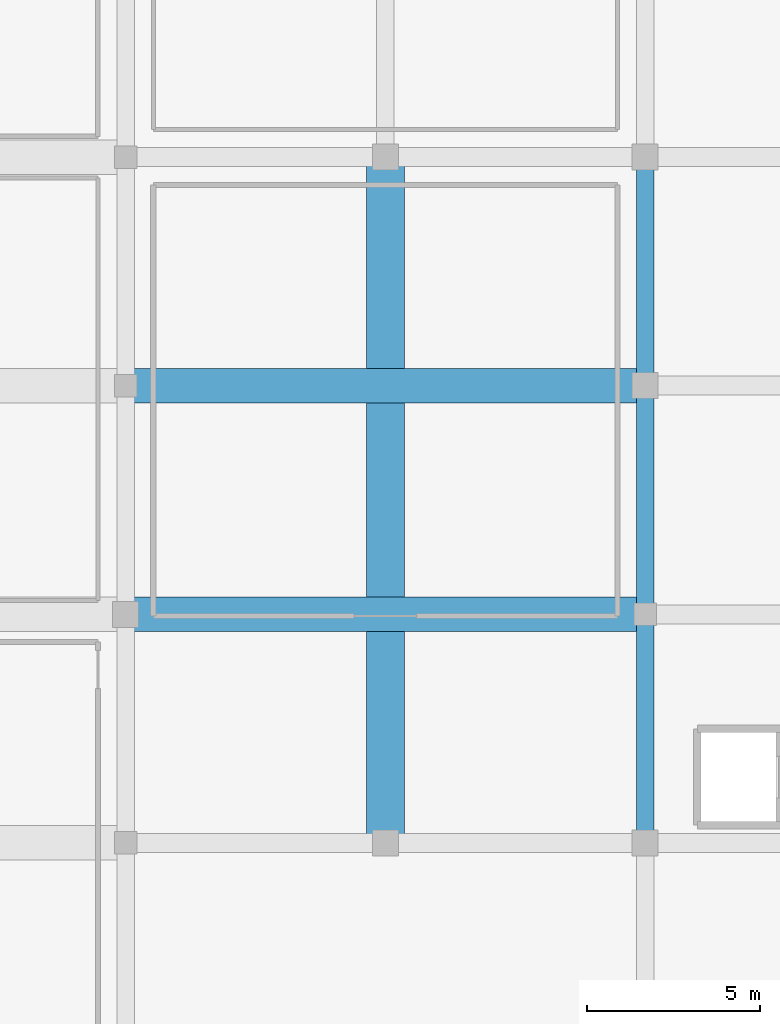
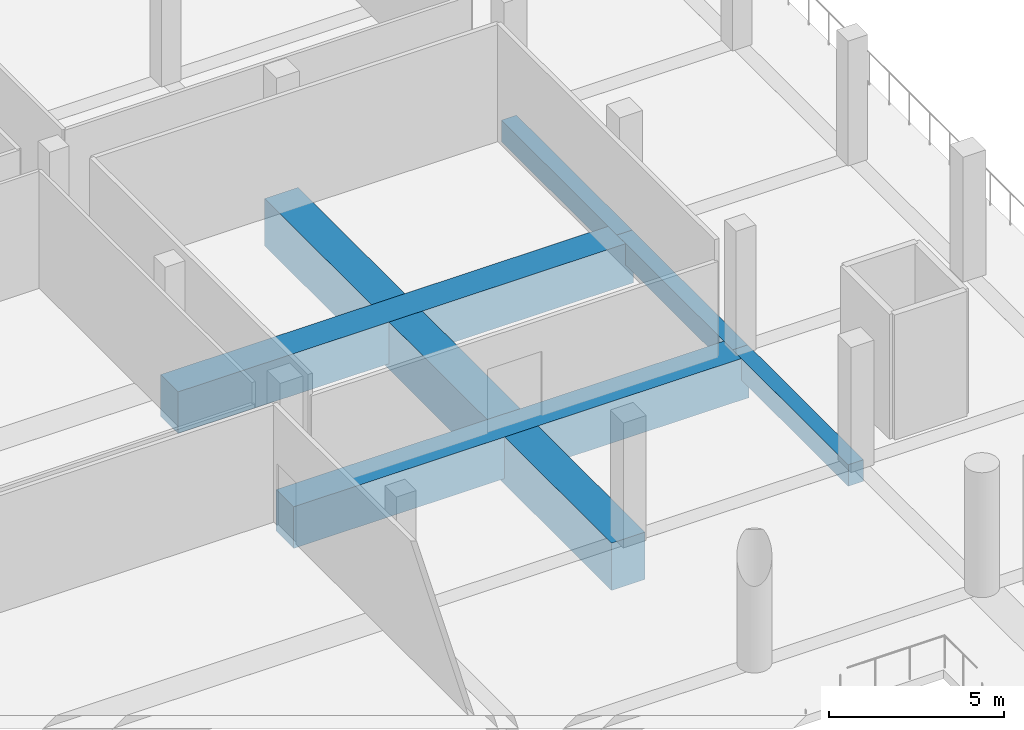
# One storey, part 18 of 64: 6 beams.
"""IFC4 building model written with IfcOpenShell, lengths in metres."""

from ifc_helpers import new_model, si_unit, direction, frame, origin, origin_2d, place, context, subcontext, project, spatial, rectangle, extrude, material, material_profile, profile_set, type_object, element, save


model = new_model("IFC4")

# Units and contexts
model_context = context("Model", 3, precision=1e-05, world=origin(), true_north=direction((0.0, 1.0)))
body_context = subcontext(model_context, "Body", "Model", "MODEL_VIEW")
ifc_project = project(units=[si_unit("LENGTHUNIT", "METRE"), si_unit("AREAUNIT", "SQUARE_METRE"), si_unit("VOLUMEUNIT", "CUBIC_METRE"), si_unit("PLANEANGLEUNIT", "RADIAN"), si_unit("MASSUNIT", "GRAM", prefix="KILO")], contexts=[model_context])

# Site, building, storey
site_placement = place(None, origin())
site = spatial("IfcSite", under=ifc_project, at=site_placement, CompositionType="ELEMENT")
building_placement = place(site_placement, origin())
building = spatial("IfcBuilding", under=site, at=building_placement, Name="Akrevak Sports Hall", CompositionType="ELEMENT")
storey_placement = place(building_placement, frame((0.0, 0.0, 4.60009765625)))
storey = spatial("IfcBuildingStorey", under=building, at=storey_placement, Name="L01", CompositionType="ELEMENT", Elevation=4.60009765625)

# Beams
ifc_material_1 = material(Name="Concrete C50/60", Category="concrete")
ifc_material_profile_1 = material_profile(ifc_material_1, rectangle(XDim=1.0, YDim=1.449951171875, at=origin_2d()), Name="BM 1000x1450", Category="concrete")
ifc_profile_set_1 = profile_set([ifc_material_profile_1], Name="Concrete C50/60")
beam_type_1 = type_object("IfcBeamType", Name="STR-BM-LG1000x1450", PredefinedType="BEAM", material=ifc_profile_set_1)
for number, where, z_axis, x_axis, name in (
    (1, (15.0, 35.39990234375, -0.72509765625), (1.0, 0.0, 0.0), (0.0, 1.0, 0.0), "Girder F/3-5 (L01)"),
    (2, (15.0, 42.0, -0.72509765625), (1.0, 0.0, 0.0), (0.0, 1.0, 0.0), "Girder G/3-5 (L01)"),
):
    element("IfcBeam", number, at=place(storey_placement, frame(where, z_axis=z_axis, x_axis=x_axis)), inside=storey, type_object=beam_type_1, Name=name, PredefinedType="BEAM", context=body_context, shape_type="SweptSolid", body=[
        extrude(rectangle(XDim=1.0, YDim=1.449951171875, at=origin_2d()), origin(), (0.0, 0.0, 1.0), 15.0),
    ])
ifc_material_profile_2 = material_profile(ifc_material_1, rectangle(XDim=1.10009765625, YDim=1.64990234375, at=origin_2d()), Name="BM 1100x1650", Category="concrete")
ifc_profile_set_2 = profile_set([ifc_material_profile_2], Name="Concrete C50/60")
beam_type_2 = type_object("IfcBeamType", Name="STR-BM-LG1100x1650", PredefinedType="BEAM", material=ifc_profile_set_2)
beam_1_placement = place(storey_placement, frame((22.5, 28.800048828125, -0.8251953125), z_axis=(0.0, 1.0, 0.0), x_axis=(-1.0, 0.0, 0.0)))
element("IfcBeam", 3, at=beam_1_placement, inside=storey, type_object=beam_type_2, Name="Girder 4/E-H (L01)", PredefinedType="BEAM", context=body_context, shape_type="SweptSolid", body=[
    extrude(rectangle(XDim=1.10009765625, YDim=1.64990234375, at=origin_2d()), origin(), (0.0, 0.0, 1.0), 19.800048828125),
])
ifc_material_2 = material(Name="Concrete C40/50", Category="concrete")
ifc_material_profile_3 = material_profile(ifc_material_2, rectangle(XDim=0.5, YDim=0.75, at=origin_2d()), Name="BM 500x750", Category="concrete")
ifc_profile_set_3 = profile_set([ifc_material_profile_3], Name="Concrete C40/50")
beam_type_3 = type_object("IfcBeamType", Name="STR-BM-RC500x750", PredefinedType="BEAM", material=ifc_profile_set_3)
beam_2_placement = place(storey_placement, frame((30.0, 28.800048828125, -0.375), z_axis=(0.0, 1.0, 0.0), x_axis=(-1.0, 0.0, 0.0)))
element("IfcBeam", 4, at=beam_2_placement, inside=storey, type_object=beam_type_3, Name="Girder 5/E-F (L01)", PredefinedType="BEAM", context=body_context, shape_type="SweptSolid", body=[
    extrude(rectangle(XDim=0.5, YDim=0.75, at=origin_2d()), origin(), (0.0, 0.0, 1.0), 6.599853515625),
])
for number, where, z_axis, x_axis, name in (
    (5, (30.0, 35.39990234375, -0.375), (0.0, 1.0, 0.0), (-1.0, 0.0, 0.0), "Girder 5/F-G (L01)"),
    (6, (30.0, 42.0, -0.375), (0.0, 1.0, 0.0), (-1.0, 0.0, 0.0), "Girder 5/G-H (L01)"),
):
    element("IfcBeam", number, at=place(storey_placement, frame(where, z_axis=z_axis, x_axis=x_axis)), inside=storey, type_object=beam_type_3, Name=name, PredefinedType="BEAM", context=body_context, shape_type="SweptSolid", body=[
        extrude(rectangle(XDim=0.5, YDim=0.75, at=origin_2d()), origin(), (0.0, 0.0, 1.0), 6.60009765625),
    ])

save(model, "model.ifc")
